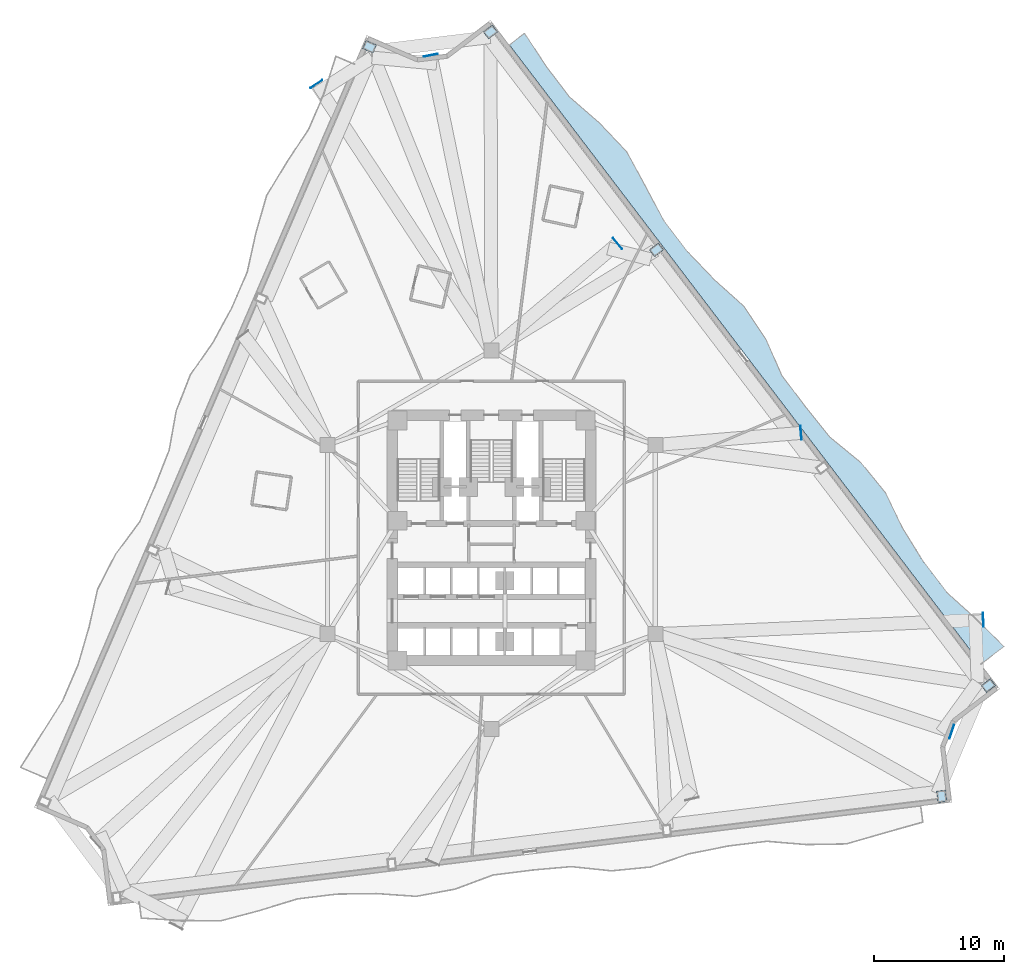
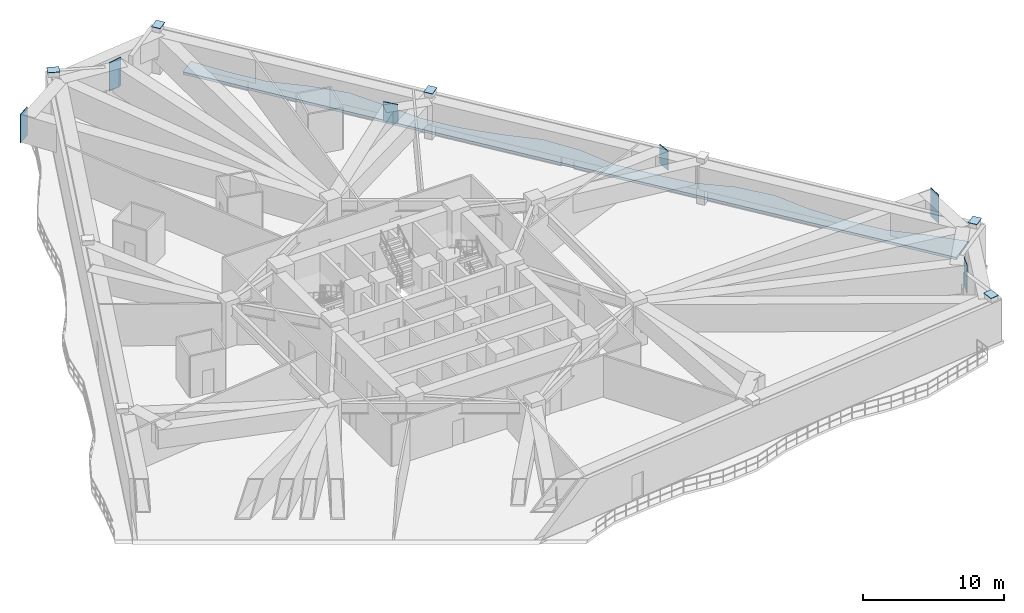
# One storey, part 6 of 14: 11 plates, 1 slab.
"""IFC4 building model written with IfcOpenShell, lengths in metres."""

import ifcopenshell
import ifcopenshell.guid

model = None  # the IFC model being written
_history = None  # IfcOwnerHistory: only IFC2X3 demands one
_inside = {}  # id of a spatial element -> (the spatial element, [elements in it])
_under = {}  # id of a project, library or spatial element -> (it, [spatial elements below it])
_declared = {}  # id of a project -> (the project, [libraries it declares])
_typed = {}  # id of a type object -> (the type object, [elements of that type])
_made_of = {}  # id of a material, layer set ... -> (it, [elements and type objects made of it])


def new_model(schema):
    """Start an empty IFC model of exactly this schema.

    Asked for "IFC4X3", IfcOpenShell would pick the latest addendum, in which some entities
    have other attributes; the version numbers below select the first issue.
    IFC2X3 requires an IfcOwnerHistory on every rooted entity: one is made here for all.
    """
    global model, _history
    if schema == "IFC4X3":
        model = ifcopenshell.file(schema_version=(4, 3, 0, 0))
    else:
        model = ifcopenshell.file(schema=schema)
    _inside.clear()
    _under.clear()
    _declared.clear()
    _typed.clear()
    _made_of.clear()
    _history = None
    if model.schema == "IFC2X3":
        org = make("IfcOrganization", Name="unknown")
        user = make(
            "IfcPersonAndOrganization",
            ThePerson=make("IfcPerson", FamilyName="unknown"),
            TheOrganization=org,
        )
        app = make(
            "IfcApplication",
            ApplicationDeveloper=org,
            Version="unknown",
            ApplicationFullName="unknown",
            ApplicationIdentifier="unknown",
        )
        _history = make(
            "IfcOwnerHistory",
            OwningUser=user,
            OwningApplication=app,
            ChangeAction="ADDED",
            CreationDate=0,
        )
    return model


def make(cls, **values):
    """One entity of the class cls with the attributes given. An attribute that is None is left unset."""
    return model.create_entity(
        cls, **{name: value for name, value in values.items() if value is not None}
    )


def rooted(cls, **values):
    """An entity with a GlobalId (a new one), such as an element, a storey or a relation."""
    return make(cls, GlobalId=ifcopenshell.guid.new(), OwnerHistory=_history, **values)


def si_unit(unit_type, name, prefix=None):
    """IfcSIUnit, for example si_unit("LENGTHUNIT", "METRE", prefix="MILLI")."""
    return make("IfcSIUnit", UnitType=unit_type, Prefix=prefix, Name=name)


def assignment(units):
    """IfcUnitAssignment: the units of a project."""
    return None if units is None else make("IfcUnitAssignment", Units=units)


def point(xyz):
    """IfcCartesianPoint."""
    return None if xyz is None else make("IfcCartesianPoint", Coordinates=xyz)


def direction(xyz):
    """IfcDirection."""
    return None if xyz is None else make("IfcDirection", DirectionRatios=xyz)


def frame(location, z_axis=None, x_axis=None):
    """IfcAxis2Placement3D, a coordinate frame: its origin and axes. An axis left out is left unset."""
    return make(
        "IfcAxis2Placement3D",
        Location=point(location),
        Axis=direction(z_axis),
        RefDirection=direction(x_axis),
    )


def frame_2d(location, x_axis=None):
    """IfcAxis2Placement2D, a coordinate frame in the plane: its origin and x axis."""
    return make(
        "IfcAxis2Placement2D", Location=point(location), RefDirection=direction(x_axis)
    )


def origin():
    """The frame at (0, 0, 0) with its axes left unset."""
    return frame((0.0, 0.0, 0.0))


def origin_2d():
    """The frame at (0, 0) in the plane with its x axis left unset."""
    return frame_2d((0.0, 0.0))


def place(relative_to, where):
    """IfcLocalPlacement: puts the frame where relative to a parent placement (None: the world)."""
    return make(
        "IfcLocalPlacement", PlacementRelTo=relative_to, RelativePlacement=where
    )


def context(
    kind, dimensions, precision=None, world=None, true_north=None, identifier=None
):
    """IfcGeometricRepresentationContext, for example the 3D "Model" context."""
    return make(
        "IfcGeometricRepresentationContext",
        ContextIdentifier=identifier,
        ContextType=kind,
        CoordinateSpaceDimension=dimensions,
        Precision=precision,
        WorldCoordinateSystem=world,
        TrueNorth=true_north,
    )


def subcontext(parent, identifier, kind, view, scale=None):
    """IfcGeometricRepresentationSubContext, for example "Body" below "Model"."""
    return make(
        "IfcGeometricRepresentationSubContext",
        ContextIdentifier=identifier,
        ContextType=kind,
        ParentContext=parent,
        TargetScale=scale,
        TargetView=view,
    )


def project(units=None, contexts=None):
    """IfcProject with its units and contexts."""
    return rooted(
        "IfcProject",
        Name="project",
        RepresentationContexts=contexts,
        UnitsInContext=assignment(units),
    )


def spatial(cls, under=None, at=None, **own):
    """A site, building, storey or space (cls), placed at a placement, below another one or the project."""
    s = rooted(cls, ObjectPlacement=at, **own)
    if under is not None:
        _under.setdefault(under.id(), (under, []))[1].append(s)
    return s


def polyline(points):
    """IfcPolyline through the points."""
    return make("IfcPolyline", Points=[point(p) for p in points])


def profile(cls, at=None, kind="AREA", **sizes):
    """A parametric profile (cls). Its sizes go by their IFC names, for example OverallWidth=200.0."""
    return make(cls, ProfileType=kind, Position=at, **sizes)


def rectangle(**sizes):
    """IfcRectangleProfileDef."""
    return profile("IfcRectangleProfileDef", **sizes)


def outline(outer, holes=None, kind="AREA"):
    """IfcArbitraryClosedProfileDef: a profile drawn as a closed curve; with holes, ...WithVoids."""
    if holes is None:
        return make("IfcArbitraryClosedProfileDef", ProfileType=kind, OuterCurve=outer)
    return make(
        "IfcArbitraryProfileDefWithVoids",
        ProfileType=kind,
        OuterCurve=outer,
        InnerCurves=holes,
    )


def extrude(swept, where, along, depth):
    """IfcExtrudedAreaSolid: the profile swept, set in the frame where, extruded along a direction by depth."""
    return make(
        "IfcExtrudedAreaSolid",
        SweptArea=swept,
        Position=where,
        ExtrudedDirection=direction(along),
        Depth=depth,
    )


def shape(context_of_items, identifier, shape_type, items):
    """IfcShapeRepresentation: the items that make up one representation, for example the "Body"."""
    return make(
        "IfcShapeRepresentation",
        ContextOfItems=context_of_items,
        RepresentationIdentifier=identifier,
        RepresentationType=shape_type,
        Items=items,
    )


def material(Name=None, Category=None):
    """IfcMaterial."""
    return make("IfcMaterial", Name=Name, Category=Category)


def layer(
    of_material, thickness, ventilated=None, Name=None, Category=None, Priority=None
):
    """IfcMaterialLayer: one layer of a wall or slab, of a material (None: an air gap)."""
    return make(
        "IfcMaterialLayer",
        Material=of_material,
        LayerThickness=thickness,
        IsVentilated=ventilated,
        Name=Name,
        Category=Category,
        Priority=Priority,
    )


def layer_set(layers, Name=None):
    """IfcMaterialLayerSet."""
    return make("IfcMaterialLayerSet", MaterialLayers=layers, LayerSetName=Name)


def made_of(thing, what):
    """Note that an element or type object is made of a material, layer set ...; save() writes the relation."""
    if what is not None:
        _made_of.setdefault(what.id(), (what, []))[1].append(thing)
    return thing


def type_object(cls, material=None, **own):
    """A type object (cls), such as IfcWallType, which elements share."""
    return made_of(rooted(cls, **own), material)


def element(
    cls,
    number,
    at=None,
    inside=None,
    cuts=None,
    type_object=None,
    material=None,
    context=None,
    identifier="Body",
    shape_type=None,
    held_by="IfcProductDefinitionShape",
    body=None,
    shapes=None,
    **own,
):
    """One element of the class cls, such as IfcWall. Its Tag is "e" and its number.

    at: its placement. inside: the storey or other place that contains it. cuts: it is an
    opening in that element (IfcRelVoidsElement). A single representation is given by context,
    identifier, shape_type and body (its items); several are given by shapes. held_by: the class
    of the entity that holds the representations. save() writes the other relations.
    """
    e = rooted(cls, Tag="e%d" % number, ObjectPlacement=at, **own)
    if body is not None:
        shapes = [shape(context, identifier, shape_type, body)]
    if shapes is not None:
        e.Representation = make(held_by, Representations=shapes)
    if inside is not None:
        _inside.setdefault(inside.id(), (inside, []))[1].append(e)
    if cuts is not None:
        rooted(
            "IfcRelVoidsElement", RelatingBuildingElement=cuts, RelatedOpeningElement=e
        )
    if type_object is not None:
        _typed.setdefault(type_object.id(), (type_object, []))[1].append(e)
    return made_of(e, material)


def aggregate(whole, parts):
    """IfcRelAggregates: a whole, such as a stair, and the parts it consists of."""
    return rooted("IfcRelAggregates", RelatingObject=whole, RelatedObjects=parts)


def save(model, path):
    """Write the relations noted so far, then the file.

    IfcRelAggregates (storeys below a building ...), IfcRelContainedInSpatialStructure (elements
    in a storey), IfcRelDefinesByType, IfcRelAssociatesMaterial and IfcRelDeclares: one each for
    every whole, place, type object, material and project.
    """
    for whole, parts in _under.values():
        aggregate(whole, parts)
    for where, things in _inside.values():
        rooted(
            "IfcRelContainedInSpatialStructure",
            RelatedElements=things,
            RelatingStructure=where,
        )
    for kind, things in _typed.values():
        rooted("IfcRelDefinesByType", RelatedObjects=things, RelatingType=kind)
    for what, things in _made_of.values():
        rooted("IfcRelAssociatesMaterial", RelatedObjects=things, RelatingMaterial=what)
    for by, libraries in _declared.values():
        rooted("IfcRelDeclares", RelatingContext=by, RelatedDefinitions=libraries)
    model.write(path)


model = new_model("IFC4")

# Units and contexts
model_context = context("Model", 3, precision=1e-05, world=origin(), true_north=direction((0.0, 1.0)))
body_context = subcontext(model_context, "Body", "Model", "MODEL_VIEW")
ifc_project = project(units=[si_unit("LENGTHUNIT", "METRE"), si_unit("AREAUNIT", "SQUARE_METRE"), si_unit("VOLUMEUNIT", "CUBIC_METRE"), si_unit("PLANEANGLEUNIT", "RADIAN"), si_unit("MASSUNIT", "GRAM", prefix="KILO")], contexts=[model_context])

# Site, building, storey
site_placement = place(None, origin())
site = spatial("IfcSite", under=ifc_project, at=site_placement, CompositionType="ELEMENT")
building_placement = place(site_placement, origin())
building = spatial("IfcBuilding", under=site, at=building_placement, Name="Apsidion Concourse Tower", CompositionType="ELEMENT")
storey_placement = place(building_placement, frame((0.0, 0.0, 91.0)))
storey = spatial("IfcBuildingStorey", under=building, at=storey_placement, Name="L20", CompositionType="ELEMENT", Elevation=91.0)

# Plates
ifc_material_1 = material(Name="Structural steel ASTM A572 Grade 50", Category="steel")
ifc_layer_1 = layer(ifc_material_1, 0.034912109375)
ifc_layer_set_1 = layer_set([ifc_layer_1], Name="Structural steel ASTM A572 Grade 50")
plate_type = type_object("IfcPlateType", Name="PL-ENDCAP-35", PredefinedType="USERDEFINED", material=ifc_layer_set_1)
for number, where, z_axis, x_axis, name in (
    (1, (-9.34423828125, 37.77685546875, 3.998046875), (0.0, 0.0, 1.0), (0.395545502563, 0.918446381343, 0.0), "L20 Step-Top Column End-Cap Plate PCCAP-PC01"),
    (2, (34.51416015625, -19.67919921875, 3.998046875), (0.0, 0.0, 1.0), (0.992546151641, 0.121869343405, 0.0), "L20 Step-Top Column End-Cap Plate PCCAP-PC08"),
    (3, (38.093017578125, -11.186279296875, 3.998046875), (0.0, 0.0, 1.0), (-0.605988400266, 0.795473480855, 0.0), "L20 Step-Top Column End-Cap Plate PCCAP-PC09"),
    (4, (12.6494140625, 22.214599609375, 3.998046875), (0.0, 0.0, 1.0), (-0.605988400266, 0.795473480855, 0.0), "L20 Step-Top Column End-Cap Plate PCCAP-PC11"),
    (5, (-0.072265625, 38.915283203125, 3.998046875), (0.0, 0.0, 1.0), (-0.605988400266, 0.795473480855, 0.0), "L20 Step-Top Column End-Cap Plate PCCAP-PC12"),
):
    element("IfcPlate", number, at=place(storey_placement, frame(where, z_axis=z_axis, x_axis=x_axis)), inside=storey, type_object=plate_type, Name=name, ObjectType="FLANGE_PLATE", PredefinedType="USERDEFINED", context=body_context, shape_type="SweptSolid", body=[
        extrude(rectangle(XDim=0.679931640625, YDim=0.8798828125, at=origin_2d()), origin(), (0.0, 0.0, 1.0), 0.0400390625),
    ])
for number, where, z_axis, x_axis, name in (
    (6, (-13.423583984375, 34.924072265625, 1.159912109375), (0.0, 0.0, 1.0), (-0.549168685539, 0.83571152608, 0.0), "L20 Radial Transfer Girder End-Cap Plate NTRCAP-01"),
    (7, (35.288818359375, -14.723876953125, 1.159912109375), (0.0, 0.0, 1.0), (0.949972051525, -0.312334918512, 0.0), "L20 Radial Transfer Girder End-Cap Plate NTRCAP-08"),
    (8, (37.704833984375, -6.143310546875, 1.159912109375), (0.0, 0.0, 1.0), (0.999032934678, 0.043968118318, 0.0), "L20 Radial Transfer Girder End-Cap Plate NTRCAP-09"),
):
    element("IfcPlate", number, at=place(storey_placement, frame(where, z_axis=z_axis, x_axis=x_axis)), inside=storey, type_object=plate_type, Name=name, ObjectType="FLANGE_PLATE", PredefinedType="USERDEFINED", context=body_context, shape_type="SweptSolid", body=[
        extrude(rectangle(XDim=0.044921875, YDim=1.080078125, at=origin_2d()), origin(), (0.0, 0.0, 1.0), 2.47998046875),
    ])
for number, where, z_axis, x_axis, name in (
    (9, (23.732177734375, 8.181396484375, 1.9599609375), (0.0, 0.0, 1.0), (0.996536536267, 0.083156069445, 0.0), "L20 Radial Transfer Girder End-Cap Plate NTRCAP-10"),
    (10, (9.674560546875, 22.69921875, 1.9599609375), (0.0, 0.0, 1.0), (0.762894055451, 0.646523518642, 0.0), "L20 Radial Transfer Girder End-Cap Plate NTRCAP-11"),
):
    element("IfcPlate", number, at=place(storey_placement, frame(where, z_axis=z_axis, x_axis=x_axis)), inside=storey, type_object=plate_type, Name=name, ObjectType="FLANGE_PLATE", PredefinedType="USERDEFINED", context=body_context, shape_type="SweptSolid", body=[
        extrude(rectangle(XDim=0.044921875, YDim=1.080078125, at=origin_2d()), origin(), (0.0, 0.0, 1.0), 1.679931640625),
    ])
plate_placement = place(storey_placement, frame((-4.65185546875, 37.132080078125, 1.159912109375), z_axis=(0.0, 0.0, 1.0), x_axis=(-0.201248886216, 0.979540139962, 0.0)))
element("IfcPlate", 11, at=plate_placement, inside=storey, type_object=plate_type, Name="L20 Radial Transfer Girder End-Cap Plate NTRCAP-12", ObjectType="FLANGE_PLATE", PredefinedType="USERDEFINED", context=body_context, shape_type="SweptSolid", body=[
    extrude(rectangle(XDim=0.044921875, YDim=1.080078125, at=origin_2d()), origin(), (0.0, 0.0, 1.0), 2.47998046875),
])

# Slab
ifc_material_2 = material(Name="Concrete C50/60", Category="concrete")
ifc_layer_2 = layer(ifc_material_2, 0.219970703125)
ifc_layer_set_2 = layer_set([ifc_layer_2], Name="Concrete C50/60")
slab_type = type_object("IfcSlabType", Name="SL-BAL-220", PredefinedType="FLOOR", material=ifc_layer_set_2)
slab_placement = place(storey_placement, frame((0.0, 0.0, -0.219970703125)))
element("IfcSlab", 12, at=slab_placement, inside=storey, type_object=slab_type, Name="L20 Face 3 Rippling Balcony Slab", PredefinedType="FLOOR", context=body_context, shape_type="SweptSolid", body=[
    extrude(outline(polyline([(37.5224609375, -9.535400390625), (35.715087890625, -7.162353515625), (33.907958984375, -4.789306640625), (32.1005859375, -2.416015625), (30.29345703125, -0.04296875), (28.486083984375, 2.330078125), (26.6787109375, 4.703125), (24.87158203125, 7.076171875), (23.064208984375, 9.44921875), (21.2568359375, 11.822509765625), (19.44970703125, 14.195556640625), (17.642333984375, 16.568603515625), (15.835205078125, 18.941650390625), (14.02783203125, 21.314697265625), (12.220458984375, 23.687744140625), (10.4130859375, 26.060791015625), (8.60595703125, 28.43408203125), (6.798583984375, 30.80712890625), (4.991455078125, 33.18017578125), (3.18408203125, 35.55322265625), (1.376708984375, 37.926513671875), (2.540771484375, 38.812744140625), (4.178466796875, 36.310546875), (5.98583984375, 33.9375), (8.28271484375, 31.937255859375), (10.353271484375, 29.7646484375), (11.795166015625, 27.11328125), (13.215087890625, 24.4453125), (15.022216796875, 22.072021484375), (17.10986328125, 19.912353515625), (19.366455078125, 17.881591796875), (21.023193359375, 15.393798828125), (22.263671875, 12.589111328125), (24.05859375, 10.206787109375), (25.929443359375, 7.8818359375), (28.2919921875, 5.931640625), (30.18994140625, 3.627685546875), (31.5126953125, 0.885498046875), (33.09521484375, -1.65869140625), (34.90234375, -4.03173828125), (37.1494140625, -6.070068359375), (39.272705078125, -8.202392578125), (37.5224609375, -9.535400390625)])), origin(), (0.0, 0.0, 1.0), 0.219970703125),
])

save(model, "model.ifc")
